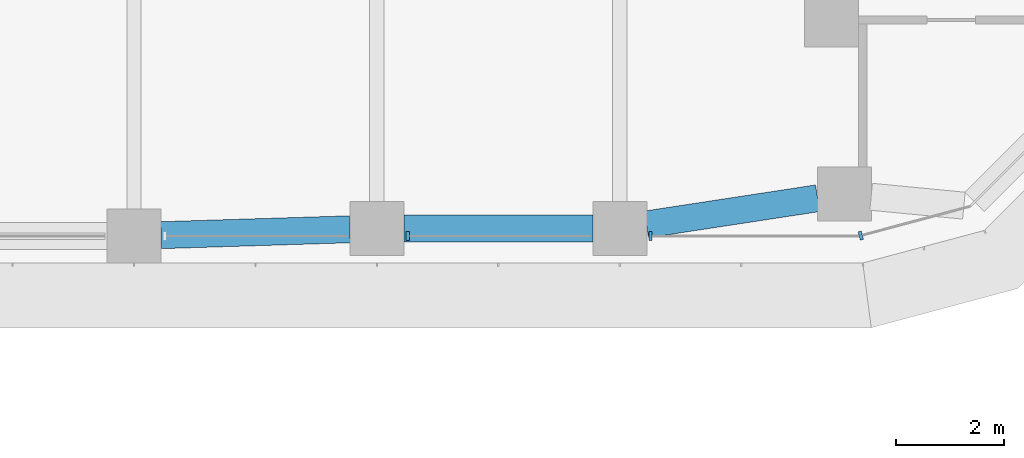
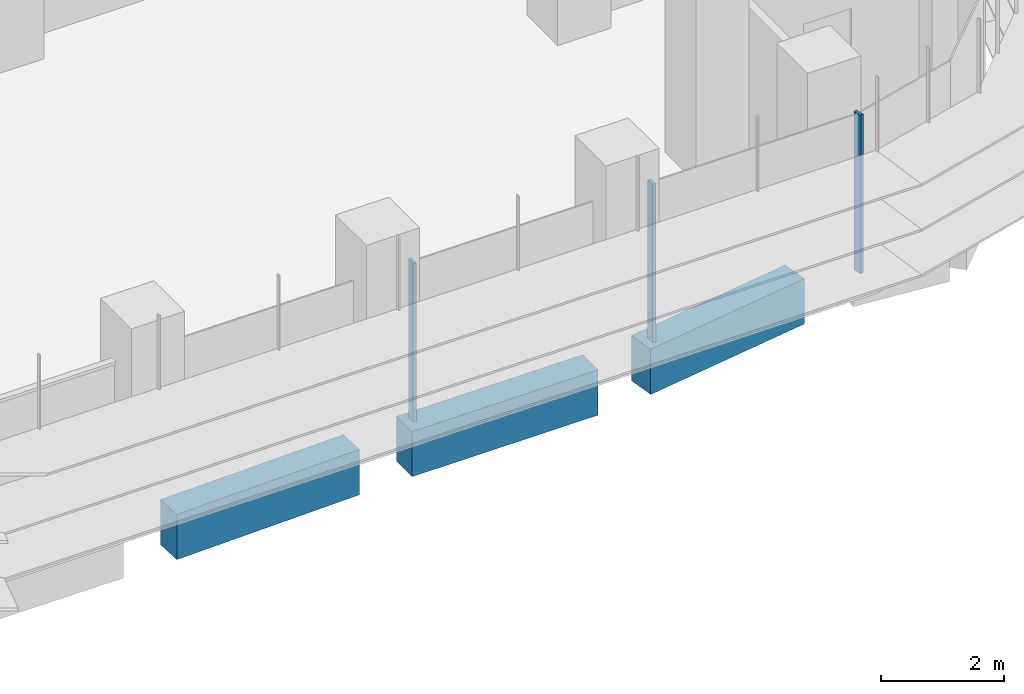
# One storey, part 5 of 23: 3 beams, 3 members, 2 elements without a shape of their own.
"""IFC4 building model written with IfcOpenShell, lengths in metres."""

import ifcopenshell
import ifcopenshell.guid

model = None  # the IFC model being written
_history = None  # IfcOwnerHistory: only IFC2X3 demands one
_inside = {}  # id of a spatial element -> (the spatial element, [elements in it])
_under = {}  # id of a project, library or spatial element -> (it, [spatial elements below it])
_declared = {}  # id of a project -> (the project, [libraries it declares])
_typed = {}  # id of a type object -> (the type object, [elements of that type])
_made_of = {}  # id of a material, layer set ... -> (it, [elements and type objects made of it])


def new_model(schema):
    """Start an empty IFC model of exactly this schema.

    Asked for "IFC4X3", IfcOpenShell would pick the latest addendum, in which some entities
    have other attributes; the version numbers below select the first issue.
    IFC2X3 requires an IfcOwnerHistory on every rooted entity: one is made here for all.
    """
    global model, _history
    if schema == "IFC4X3":
        model = ifcopenshell.file(schema_version=(4, 3, 0, 0))
    else:
        model = ifcopenshell.file(schema=schema)
    _inside.clear()
    _under.clear()
    _declared.clear()
    _typed.clear()
    _made_of.clear()
    _history = None
    if model.schema == "IFC2X3":
        org = make("IfcOrganization", Name="unknown")
        user = make(
            "IfcPersonAndOrganization",
            ThePerson=make("IfcPerson", FamilyName="unknown"),
            TheOrganization=org,
        )
        app = make(
            "IfcApplication",
            ApplicationDeveloper=org,
            Version="unknown",
            ApplicationFullName="unknown",
            ApplicationIdentifier="unknown",
        )
        _history = make(
            "IfcOwnerHistory",
            OwningUser=user,
            OwningApplication=app,
            ChangeAction="ADDED",
            CreationDate=0,
        )
    return model


def make(cls, **values):
    """One entity of the class cls with the attributes given. An attribute that is None is left unset."""
    return model.create_entity(
        cls, **{name: value for name, value in values.items() if value is not None}
    )


def rooted(cls, **values):
    """An entity with a GlobalId (a new one), such as an element, a storey or a relation."""
    return make(cls, GlobalId=ifcopenshell.guid.new(), OwnerHistory=_history, **values)


def si_unit(unit_type, name, prefix=None):
    """IfcSIUnit, for example si_unit("LENGTHUNIT", "METRE", prefix="MILLI")."""
    return make("IfcSIUnit", UnitType=unit_type, Prefix=prefix, Name=name)


def assignment(units):
    """IfcUnitAssignment: the units of a project."""
    return None if units is None else make("IfcUnitAssignment", Units=units)


def point(xyz):
    """IfcCartesianPoint."""
    return None if xyz is None else make("IfcCartesianPoint", Coordinates=xyz)


def direction(xyz):
    """IfcDirection."""
    return None if xyz is None else make("IfcDirection", DirectionRatios=xyz)


def frame(location, z_axis=None, x_axis=None):
    """IfcAxis2Placement3D, a coordinate frame: its origin and axes. An axis left out is left unset."""
    return make(
        "IfcAxis2Placement3D",
        Location=point(location),
        Axis=direction(z_axis),
        RefDirection=direction(x_axis),
    )


def frame_2d(location, x_axis=None):
    """IfcAxis2Placement2D, a coordinate frame in the plane: its origin and x axis."""
    return make(
        "IfcAxis2Placement2D", Location=point(location), RefDirection=direction(x_axis)
    )


def origin():
    """The frame at (0, 0, 0) with its axes left unset."""
    return frame((0.0, 0.0, 0.0))


def origin_2d():
    """The frame at (0, 0) in the plane with its x axis left unset."""
    return frame_2d((0.0, 0.0))


def place(relative_to, where):
    """IfcLocalPlacement: puts the frame where relative to a parent placement (None: the world)."""
    return make(
        "IfcLocalPlacement", PlacementRelTo=relative_to, RelativePlacement=where
    )


def context(
    kind, dimensions, precision=None, world=None, true_north=None, identifier=None
):
    """IfcGeometricRepresentationContext, for example the 3D "Model" context."""
    return make(
        "IfcGeometricRepresentationContext",
        ContextIdentifier=identifier,
        ContextType=kind,
        CoordinateSpaceDimension=dimensions,
        Precision=precision,
        WorldCoordinateSystem=world,
        TrueNorth=true_north,
    )


def subcontext(parent, identifier, kind, view, scale=None):
    """IfcGeometricRepresentationSubContext, for example "Body" below "Model"."""
    return make(
        "IfcGeometricRepresentationSubContext",
        ContextIdentifier=identifier,
        ContextType=kind,
        ParentContext=parent,
        TargetScale=scale,
        TargetView=view,
    )


def project(units=None, contexts=None):
    """IfcProject with its units and contexts."""
    return rooted(
        "IfcProject",
        Name="project",
        RepresentationContexts=contexts,
        UnitsInContext=assignment(units),
    )


def spatial(cls, under=None, at=None, **own):
    """A site, building, storey or space (cls), placed at a placement, below another one or the project."""
    s = rooted(cls, ObjectPlacement=at, **own)
    if under is not None:
        _under.setdefault(under.id(), (under, []))[1].append(s)
    return s


def polyline(points):
    """IfcPolyline through the points."""
    return make("IfcPolyline", Points=[point(p) for p in points])


def profile(cls, at=None, kind="AREA", **sizes):
    """A parametric profile (cls). Its sizes go by their IFC names, for example OverallWidth=200.0."""
    return make(cls, ProfileType=kind, Position=at, **sizes)


def rectangle(**sizes):
    """IfcRectangleProfileDef."""
    return profile("IfcRectangleProfileDef", **sizes)


def outline(outer, holes=None, kind="AREA"):
    """IfcArbitraryClosedProfileDef: a profile drawn as a closed curve; with holes, ...WithVoids."""
    if holes is None:
        return make("IfcArbitraryClosedProfileDef", ProfileType=kind, OuterCurve=outer)
    return make(
        "IfcArbitraryProfileDefWithVoids",
        ProfileType=kind,
        OuterCurve=outer,
        InnerCurves=holes,
    )


def extrude(swept, where, along, depth):
    """IfcExtrudedAreaSolid: the profile swept, set in the frame where, extruded along a direction by depth."""
    return make(
        "IfcExtrudedAreaSolid",
        SweptArea=swept,
        Position=where,
        ExtrudedDirection=direction(along),
        Depth=depth,
    )


def shape(context_of_items, identifier, shape_type, items):
    """IfcShapeRepresentation: the items that make up one representation, for example the "Body"."""
    return make(
        "IfcShapeRepresentation",
        ContextOfItems=context_of_items,
        RepresentationIdentifier=identifier,
        RepresentationType=shape_type,
        Items=items,
    )


def source(mapping_origin, context_of_items, identifier, shape_type, items):
    """IfcRepresentationMap: a shape defined once, which mapped items show again and again."""
    return make(
        "IfcRepresentationMap",
        MappingOrigin=mapping_origin,
        MappedRepresentation=shape(context_of_items, identifier, shape_type, items),
    )


def transform(
    local_origin,
    x_axis=None,
    y_axis=None,
    z_axis=None,
    scale=None,
    scale2=None,
    scale3=None,
    uniform=True,
):
    """IfcCartesianTransformationOperator3D, or its non-uniform kind. x_axis, y_axis, z_axis: its Axis1, 2, 3."""
    if uniform:
        return make(
            "IfcCartesianTransformationOperator3D",
            Axis1=direction(x_axis),
            Axis2=direction(y_axis),
            LocalOrigin=point(local_origin),
            Scale=scale,
            Axis3=direction(z_axis),
        )
    return make(
        "IfcCartesianTransformationOperator3DnonUniform",
        Axis1=direction(x_axis),
        Axis2=direction(y_axis),
        LocalOrigin=point(local_origin),
        Scale=scale,
        Axis3=direction(z_axis),
        Scale2=scale2,
        Scale3=scale3,
    )


def mapped(mapping_source, mapping_target):
    """IfcMappedItem: shows the shape of a source again, moved by a transform."""
    return make(
        "IfcMappedItem", MappingSource=mapping_source, MappingTarget=mapping_target
    )


def material(Name=None, Category=None):
    """IfcMaterial."""
    return make("IfcMaterial", Name=Name, Category=Category)


def material_profile(
    of_material, cross_section, Name=None, Category=None, Priority=None
):
    """IfcMaterialProfile: a cross section and its material."""
    return make(
        "IfcMaterialProfile",
        Name=Name,
        Material=of_material,
        Profile=cross_section,
        Priority=Priority,
        Category=Category,
    )


def profile_set(profiles, Name=None, composite=None):
    """IfcMaterialProfileSet."""
    return make(
        "IfcMaterialProfileSet",
        Name=Name,
        MaterialProfiles=profiles,
        CompositeProfile=composite,
    )


def made_of(thing, what):
    """Note that an element or type object is made of a material, layer set ...; save() writes the relation."""
    if what is not None:
        _made_of.setdefault(what.id(), (what, []))[1].append(thing)
    return thing


def type_object(cls, material=None, **own):
    """A type object (cls), such as IfcWallType, which elements share."""
    return made_of(rooted(cls, **own), material)


def element(
    cls,
    number,
    at=None,
    inside=None,
    cuts=None,
    type_object=None,
    material=None,
    context=None,
    identifier="Body",
    shape_type=None,
    held_by="IfcProductDefinitionShape",
    body=None,
    shapes=None,
    **own,
):
    """One element of the class cls, such as IfcWall. Its Tag is "e" and its number.

    at: its placement. inside: the storey or other place that contains it. cuts: it is an
    opening in that element (IfcRelVoidsElement). A single representation is given by context,
    identifier, shape_type and body (its items); several are given by shapes. held_by: the class
    of the entity that holds the representations. save() writes the other relations.
    """
    e = rooted(cls, Tag="e%d" % number, ObjectPlacement=at, **own)
    if body is not None:
        shapes = [shape(context, identifier, shape_type, body)]
    if shapes is not None:
        e.Representation = make(held_by, Representations=shapes)
    if inside is not None:
        _inside.setdefault(inside.id(), (inside, []))[1].append(e)
    if cuts is not None:
        rooted(
            "IfcRelVoidsElement", RelatingBuildingElement=cuts, RelatedOpeningElement=e
        )
    if type_object is not None:
        _typed.setdefault(type_object.id(), (type_object, []))[1].append(e)
    return made_of(e, material)


def aggregate(whole, parts):
    """IfcRelAggregates: a whole, such as a stair, and the parts it consists of."""
    return rooted("IfcRelAggregates", RelatingObject=whole, RelatedObjects=parts)


def save(model, path):
    """Write the relations noted so far, then the file.

    IfcRelAggregates (storeys below a building ...), IfcRelContainedInSpatialStructure (elements
    in a storey), IfcRelDefinesByType, IfcRelAssociatesMaterial and IfcRelDeclares: one each for
    every whole, place, type object, material and project.
    """
    for whole, parts in _under.values():
        aggregate(whole, parts)
    for where, things in _inside.values():
        rooted(
            "IfcRelContainedInSpatialStructure",
            RelatedElements=things,
            RelatingStructure=where,
        )
    for kind, things in _typed.values():
        rooted("IfcRelDefinesByType", RelatedObjects=things, RelatingType=kind)
    for what, things in _made_of.values():
        rooted("IfcRelAssociatesMaterial", RelatedObjects=things, RelatingMaterial=what)
    for by, libraries in _declared.values():
        rooted("IfcRelDeclares", RelatingContext=by, RelatedDefinitions=libraries)
    model.write(path)


model = new_model("IFC4")

# Units and contexts
model_context = context("Model", 3, precision=1e-05, world=origin(), true_north=direction((0.0, 1.0)))
body_context = subcontext(model_context, "Body", "Model", "MODEL_VIEW")
ifc_project = project(units=[si_unit("LENGTHUNIT", "METRE"), si_unit("AREAUNIT", "SQUARE_METRE"), si_unit("VOLUMEUNIT", "CUBIC_METRE"), si_unit("PLANEANGLEUNIT", "RADIAN"), si_unit("MASSUNIT", "GRAM", prefix="KILO")], contexts=[model_context])

# Site, building, storey
site_placement = place(None, origin())
site = spatial("IfcSite", under=ifc_project, at=site_placement, CompositionType="ELEMENT")
building_placement = place(site_placement, origin())
building = spatial("IfcBuilding", under=site, at=building_placement, Name="Zarbagh Exchange Tower", CompositionType="ELEMENT")
storey_placement = place(building_placement, frame((0.0, 0.0, 64.800048828125)))
storey = spatial("IfcBuildingStorey", under=building, at=storey_placement, Name="L14", CompositionType="ELEMENT", Elevation=64.800048828125)

# Beams
ifc_material_1 = material(Name="Concrete C60/75", Category="concrete")
ifc_material_profile = material_profile(ifc_material_1, rectangle(XDim=0.5, YDim=0.89990234375, at=origin_2d()), Name="RC spandrel beam 500 x 900 C60/75")
ifc_profile_set = profile_set([ifc_material_profile], Name="Concrete C60/75")
beam_type = type_object("IfcBeamType", Name="RC spandrel beam 500 x 900 C60/75", PredefinedType="SPANDREL", material=ifc_profile_set)
beam_1_placement = place(storey_placement, frame((28.413818359375, -5.550537109375, -0.60009765625), z_axis=(-0.988545350976, -0.150924116903, 0.0), x_axis=(0.150924116903, -0.988545350976, 0.0)))
element("IfcBeam", 1, at=beam_1_placement, inside=storey, type_object=beam_type, Name="RC spandrel beam", PredefinedType="SPANDREL", context=body_context, shape_type="SweptSolid", body=[
    extrude(rectangle(XDim=0.5, YDim=0.89990234375, at=origin_2d()), origin(), (0.0, 0.0, 1.0), 3.2060546875),
])
beam_2_placement = place(storey_placement, frame((24.25, -6.110107421875, -0.60009765625), z_axis=(-1.0, 0.0, 0.0), x_axis=(0.0, -1.0, 0.0)))
element("IfcBeam", 2, at=beam_2_placement, inside=storey, type_object=beam_type, Name="RC spandrel beam", PredefinedType="SPANDREL", context=body_context, shape_type="SweptSolid", body=[
    extrude(rectangle(XDim=0.5, YDim=0.89990234375, at=origin_2d()), origin(), (0.0, 0.0, 1.0), 3.5),
])
beam_3_placement = place(storey_placement, frame((19.750244140625, -6.12548828125, -0.60009765625), z_axis=(-0.999514385708, -0.031160756759, 0.0), x_axis=(0.031160756759, -0.999514385708, 0.0)))
element("IfcBeam", 3, at=beam_3_placement, inside=storey, type_object=beam_type, Name="RC spandrel beam", PredefinedType="SPANDREL", context=body_context, shape_type="SweptSolid", body=[
    extrude(rectangle(XDim=0.5, YDim=0.89990234375, at=origin_2d()), origin(), (0.0, 0.0, 1.0), 3.502197265625),
])

# Curtain wall, members
ifc_material_2 = material(Name="Anodised aluminium frame and glazing", Category="aluminium")
curtain_wall_type = type_object("IfcCurtainWallType", Name="CWA Ribbon glazing, lower zones", PredefinedType="NOTDEFINED", material=ifc_material_2)
curtain_wall_1_placement = place(storey_placement, origin())
curtain_wall_1 = element("IfcCurtainWall", 4, at=curtain_wall_1_placement, inside=storey, type_object=curtain_wall_type, Name="CWA08 curtain wall", PredefinedType="NOTDEFINED")
ifc_material_3 = material(Name="Anodised aluminium frame", Category="aluminium")
member_type = type_object("IfcMemberType", Name="MUA Mullion, anodised aluminium frame", PredefinedType="MULLION", material=ifc_material_3)
shared_shape = source(origin(), body_context, "Body", "SweptSolid", [
    extrude(outline(polyline([(0.0, -0.080078125), (0.06005859375, -0.080078125), (0.06005859375, 0.080078125), (0.0, 0.080078125), (0.0, -0.080078125)])), origin(), (0.0, 0.0, 1.0), 3.14990234375),
])
placement = place(storey_placement, origin())
member_1 = element("IfcMember", 5, at=placement, type_object=member_type, Name="CWA08 mullion 3.1", PredefinedType="MULLION", context=body_context, shape_type="MappedRepresentation", body=[
    mapped(shared_shape, transform((20.7900390625, -6.25, 0.0), x_axis=(1.0, 0.0, 0.0), y_axis=(0.0, 1.0, 0.0), z_axis=(0.0, 0.0, 1.0))),
])
member_2 = element("IfcMember", 6, at=placement, type_object=member_type, Name="CWA08 mullion 4.1", PredefinedType="MULLION", context=body_context, shape_type="MappedRepresentation", body=[
    mapped(shared_shape, transform((25.2900390625, -6.25, 0.0), x_axis=(1.0, 0.0, 0.0), y_axis=(0.0, 1.0, 0.0), z_axis=(0.0, 0.0, 1.0))),
])
aggregate(curtain_wall_1, [member_1, member_2])

# Curtain wall, member
curtain_wall_2_placement = place(storey_placement, origin())
curtain_wall_2 = element("IfcCurtainWall", 7, at=curtain_wall_2_placement, inside=storey, type_object=curtain_wall_type, Name="CWA09 curtain wall", PredefinedType="NOTDEFINED")
member_3 = element("IfcMember", 8, at=placement, type_object=member_type, Name="CWA09 mullion 1.1", PredefinedType="MULLION", context=body_context, shape_type="MappedRepresentation", body=[
    mapped(shared_shape, transform((29.18408203125, -6.25, 0.0), x_axis=(0.965924289636, 0.258824779902, 0.0), y_axis=(-0.258824779902, 0.965924289636, 0.0), z_axis=(0.0, 0.0, 1.0))),
])
aggregate(curtain_wall_2, [member_3])

save(model, "model.ifc")
